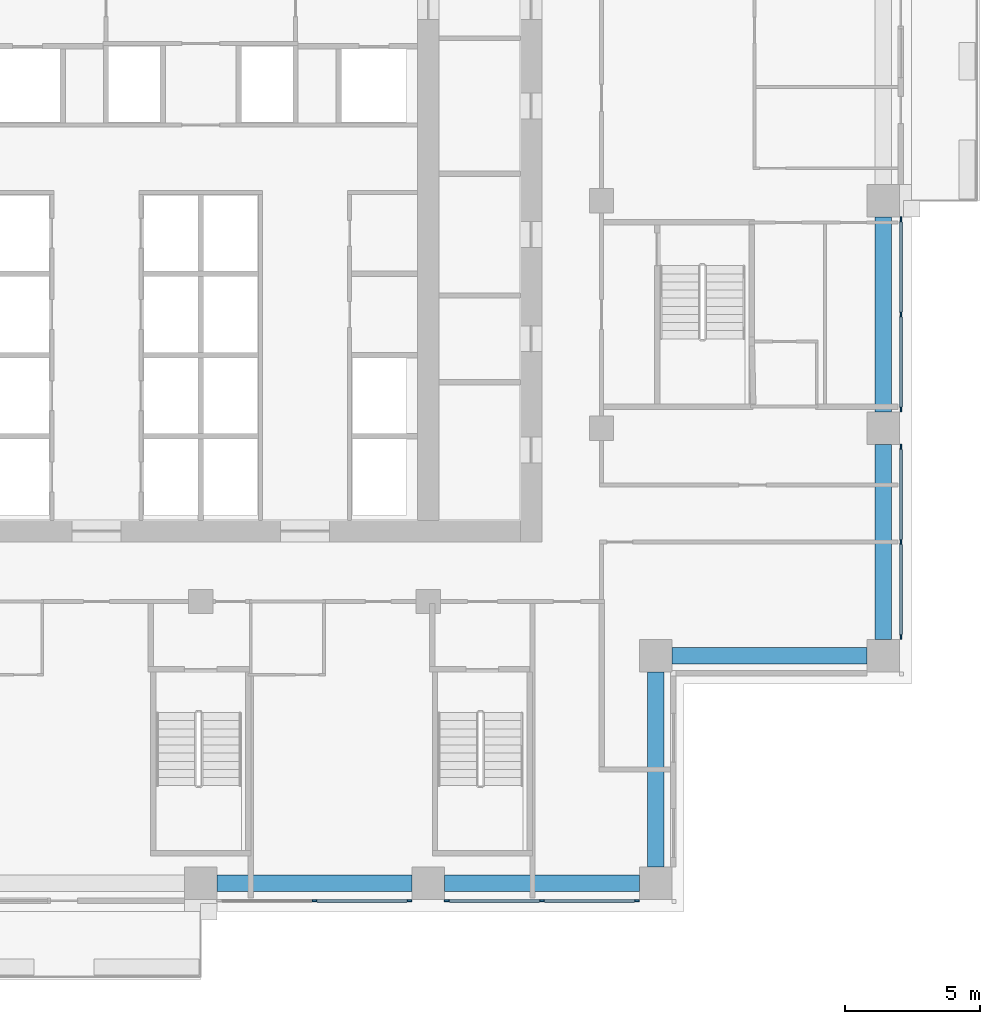
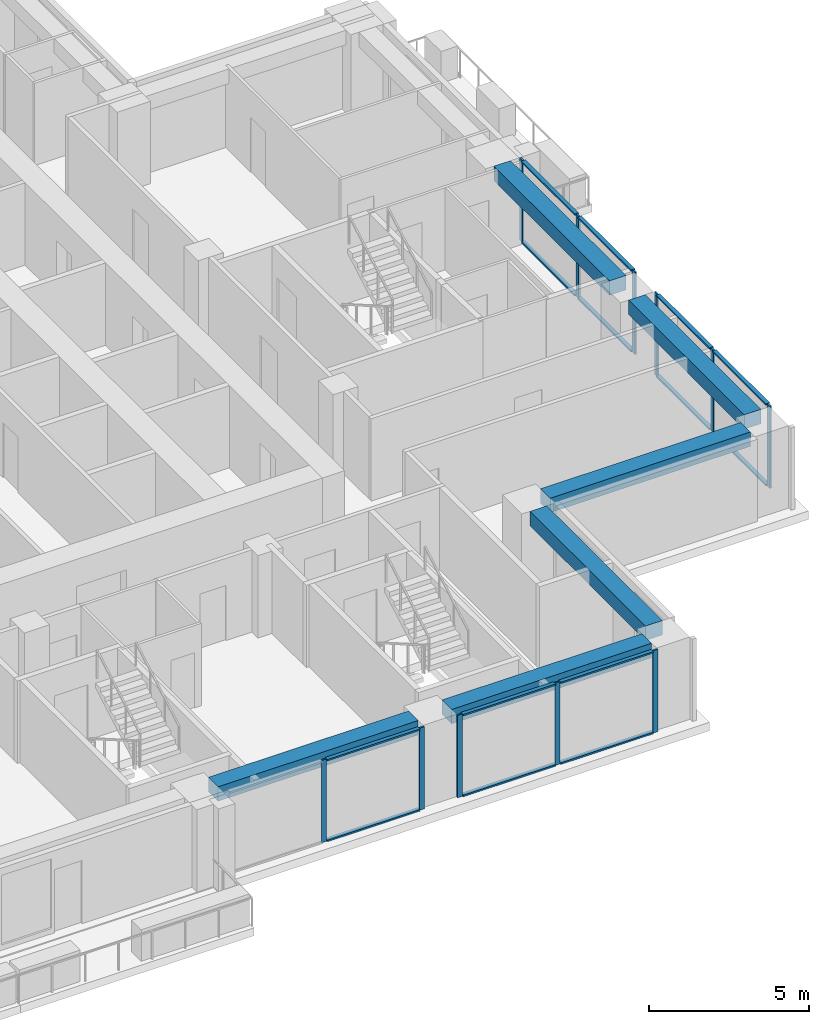
# One storey, part 4 of 16: 25 members, 6 beams, 4 elements without a shape of their own.
"""IFC4 building model written with IfcOpenShell, lengths in metres."""

from ifc_helpers import new_model, si_unit, direction, frame, origin, origin_2d, place, context, subcontext, project, spatial, rectangle, extrude, material, material_profile, profile_set, type_object, element, aggregate, save


model = new_model("IFC4")

# Units and contexts
model_context = context("Model", 3, precision=1e-05, world=origin(), true_north=direction((0.0, 1.0)))
body_context = subcontext(model_context, "Body", "Model", "MODEL_VIEW")
ifc_project = project(units=[si_unit("LENGTHUNIT", "METRE"), si_unit("AREAUNIT", "SQUARE_METRE"), si_unit("VOLUMEUNIT", "CUBIC_METRE"), si_unit("PLANEANGLEUNIT", "RADIAN"), si_unit("MASSUNIT", "GRAM", prefix="KILO")], contexts=[model_context])

# Site, building, storey
site_placement = place(None, origin())
site = spatial("IfcSite", under=ifc_project, at=site_placement, CompositionType="ELEMENT")
building_placement = place(site_placement, origin())
building = spatial("IfcBuilding", under=site, at=building_placement, Name="Vermilion Ogive Tower", CompositionType="ELEMENT")
storey_placement = place(building_placement, frame((0.0, 0.0, 114.89990234375)))
storey = spatial("IfcBuildingStorey", under=building, at=storey_placement, Name="L29", CompositionType="ELEMENT", Elevation=114.89990234375)

# Curtain wall, members
ifc_material_1 = material(Name="Low-iron laminated glazing in aluminium frame", Category="aluminium")
curtain_wall_type = type_object("IfcCurtainWallType", Name="Curtain wall CW7", PredefinedType="NOTDEFINED", material=ifc_material_1)
curtain_wall_1_placement = place(storey_placement, origin())
curtain_wall_1 = element("IfcCurtainWall", 1, at=curtain_wall_1_placement, inside=storey, type_object=curtain_wall_type, Name="Glazed skin S3", PredefinedType="NOTDEFINED")
ifc_material_2 = material(Name="Aluminium mullion", Category="aluminium")
ifc_material_profile_1 = material_profile(ifc_material_2, rectangle(XDim=0.06005859375, YDim=0.179931640625, at=origin_2d()), Name="AL 60x180")
ifc_profile_set_1 = profile_set([ifc_material_profile_1], Name="Aluminium mullion")
member_type_1 = type_object("IfcMemberType", Name="CW7 mullion 60x180", PredefinedType="MULLION", material=ifc_profile_set_1)
member_1_placement = place(storey_placement, frame((4.199951171875, -21.64990234375, 0.0), z_axis=(0.0, 0.0, 1.0), x_axis=(0.0, 1.0, 0.0)))
member_1 = element("IfcMember", 2, at=member_1_placement, type_object=member_type_1, Name="CW7-S3 mullion 2", PredefinedType="MULLION", context=body_context, shape_type="SweptSolid", body=[
    extrude(rectangle(XDim=0.06005859375, YDim=0.179931640625, at=origin_2d()), origin(), (0.0, 0.0, 1.0), 3.130126953125),
])
member_2_placement = place(storey_placement, frame((7.7099609375, -21.64990234375, 0.0), z_axis=(0.0, 0.0, 1.0), x_axis=(0.0, 1.0, 0.0)))
member_2 = element("IfcMember", 3, at=member_2_placement, type_object=member_type_1, Name="CW7-S3 mullion 3", PredefinedType="MULLION", context=body_context, shape_type="SweptSolid", body=[
    extrude(rectangle(XDim=0.06005859375, YDim=0.179931640625, at=origin_2d()), origin(), (0.0, 0.0, 1.0), 3.130126953125),
])

curtain_wall_2_placement = place(storey_placement, origin())
curtain_wall_2 = element("IfcCurtainWall", 4, at=curtain_wall_2_placement, inside=storey, type_object=curtain_wall_type, Name="Glazed skin S4", PredefinedType="NOTDEFINED")
member_3_placement = place(storey_placement, frame((9.090087890625, -21.64990234375, 0.0), z_axis=(0.0, 0.0, 1.0), x_axis=(0.0, 1.0, 0.0)))
member_3 = element("IfcMember", 5, at=member_3_placement, type_object=member_type_1, Name="CW7-S4 mullion 1", PredefinedType="MULLION", context=body_context, shape_type="SweptSolid", body=[
    extrude(rectangle(XDim=0.06005859375, YDim=0.179931640625, at=origin_2d()), origin(), (0.0, 0.0, 1.0), 3.130126953125),
])
member_4_placement = place(storey_placement, frame((12.60009765625, -21.64990234375, 0.0), z_axis=(0.0, 0.0, 1.0), x_axis=(0.0, 1.0, 0.0)))
member_4 = element("IfcMember", 6, at=member_4_placement, type_object=member_type_1, Name="CW7-S4 mullion 2", PredefinedType="MULLION", context=body_context, shape_type="SweptSolid", body=[
    extrude(rectangle(XDim=0.06005859375, YDim=0.179931640625, at=origin_2d()), origin(), (0.0, 0.0, 1.0), 3.130126953125),
])
member_5_placement = place(storey_placement, frame((16.110107421875, -21.64990234375, 0.0), z_axis=(0.0, 0.0, 1.0), x_axis=(0.0, 1.0, 0.0)))
member_5 = element("IfcMember", 7, at=member_5_placement, type_object=member_type_1, Name="CW7-S4 mullion 3", PredefinedType="MULLION", context=body_context, shape_type="SweptSolid", body=[
    extrude(rectangle(XDim=0.06005859375, YDim=0.179931640625, at=origin_2d()), origin(), (0.0, 0.0, 1.0), 3.130126953125),
])

curtain_wall_3_placement = place(storey_placement, origin())
curtain_wall_3 = element("IfcCurtainWall", 8, at=curtain_wall_3_placement, inside=storey, type_object=curtain_wall_type, Name="Glazed skin E1", PredefinedType="NOTDEFINED")
member_6_placement = place(storey_placement, frame((25.85009765625, -11.909912109375, 0.0), z_axis=(0.0, 0.0, 1.0), x_axis=(-1.0, 0.0, 0.0)))
member_6 = element("IfcMember", 9, at=member_6_placement, type_object=member_type_1, Name="CW7-E1 mullion 1", PredefinedType="MULLION", context=body_context, shape_type="SweptSolid", body=[
    extrude(rectangle(XDim=0.06005859375, YDim=0.179931640625, at=origin_2d()), origin(), (0.0, 0.0, 1.0), 3.130126953125),
])
member_7_placement = place(storey_placement, frame((25.85009765625, -8.39990234375, 0.0), z_axis=(0.0, 0.0, 1.0), x_axis=(-1.0, 0.0, 0.0)))
member_7 = element("IfcMember", 10, at=member_7_placement, type_object=member_type_1, Name="CW7-E1 mullion 2", PredefinedType="MULLION", context=body_context, shape_type="SweptSolid", body=[
    extrude(rectangle(XDim=0.06005859375, YDim=0.179931640625, at=origin_2d()), origin(), (0.0, 0.0, 1.0), 3.130126953125),
])
member_8_placement = place(storey_placement, frame((25.85009765625, -4.889892578125, 0.0), z_axis=(0.0, 0.0, 1.0), x_axis=(-1.0, 0.0, 0.0)))
member_8 = element("IfcMember", 11, at=member_8_placement, type_object=member_type_1, Name="CW7-E1 mullion 3", PredefinedType="MULLION", context=body_context, shape_type="SweptSolid", body=[
    extrude(rectangle(XDim=0.06005859375, YDim=0.179931640625, at=origin_2d()), origin(), (0.0, 0.0, 1.0), 3.130126953125),
])

curtain_wall_4_placement = place(storey_placement, origin())
curtain_wall_4 = element("IfcCurtainWall", 12, at=curtain_wall_4_placement, inside=storey, type_object=curtain_wall_type, Name="Glazed skin E2", PredefinedType="NOTDEFINED")
member_9_placement = place(storey_placement, frame((25.85009765625, -3.510009765625, 0.0), z_axis=(0.0, 0.0, 1.0), x_axis=(-1.0, 0.0, 0.0)))
member_9 = element("IfcMember", 13, at=member_9_placement, type_object=member_type_1, Name="CW7-E2 mullion 1", PredefinedType="MULLION", context=body_context, shape_type="SweptSolid", body=[
    extrude(rectangle(XDim=0.06005859375, YDim=0.179931640625, at=origin_2d()), origin(), (0.0, 0.0, 1.0), 3.130126953125),
])
member_10_placement = place(storey_placement, frame((25.85009765625, 0.0, 0.0), z_axis=(0.0, 0.0, 1.0), x_axis=(-1.0, 0.0, 0.0)))
member_10 = element("IfcMember", 14, at=member_10_placement, type_object=member_type_1, Name="CW7-E2 mullion 2", PredefinedType="MULLION", context=body_context, shape_type="SweptSolid", body=[
    extrude(rectangle(XDim=0.06005859375, YDim=0.179931640625, at=origin_2d()), origin(), (0.0, 0.0, 1.0), 3.130126953125),
])
member_11_placement = place(storey_placement, frame((25.85009765625, 3.510009765625, 0.0), z_axis=(0.0, 0.0, 1.0), x_axis=(-1.0, 0.0, 0.0)))
member_11 = element("IfcMember", 15, at=member_11_placement, type_object=member_type_1, Name="CW7-E2 mullion 3", PredefinedType="MULLION", context=body_context, shape_type="SweptSolid", body=[
    extrude(rectangle(XDim=0.06005859375, YDim=0.179931640625, at=origin_2d()), origin(), (0.0, 0.0, 1.0), 3.130126953125),
])

# Member
ifc_material_3 = material(Name="Aluminium transom", Category="aluminium")
ifc_material_profile_2 = material_profile(ifc_material_3, rectangle(XDim=0.139892578125, YDim=0.06005859375, at=origin_2d()), Name="AL 60x140")
ifc_profile_set_2 = profile_set([ifc_material_profile_2], Name="Aluminium transom")
member_type_2 = type_object("IfcMemberType", Name="CW7 transom 60x140", PredefinedType="USERDEFINED", material=ifc_profile_set_2)
member_12_placement = place(storey_placement, frame((4.2900390625, -21.64990234375, 0.030029296875), z_axis=(1.0, 0.0, 0.0), x_axis=(0.0, 1.0, 0.0)))
member_12 = element("IfcMember", 16, at=member_12_placement, type_object=member_type_2, Name="CW7-S3 transom 2.1", ObjectType="TRANSOM", PredefinedType="USERDEFINED", context=body_context, shape_type="SweptSolid", body=[
    extrude(rectangle(XDim=0.139892578125, YDim=0.06005859375, at=origin_2d()), origin(), (0.0, 0.0, 1.0), 3.330078125),
])

member_13_placement = place(storey_placement, frame((4.2900390625, -21.64990234375, 3.10009765625), z_axis=(1.0, 0.0, 0.0), x_axis=(0.0, 1.0, 0.0)))
member_13 = element("IfcMember", 17, at=member_13_placement, type_object=member_type_2, Name="CW7-S3 transom 2.2", ObjectType="TRANSOM", PredefinedType="USERDEFINED", context=body_context, shape_type="SweptSolid", body=[
    extrude(rectangle(XDim=0.139892578125, YDim=0.06005859375, at=origin_2d()), origin(), (0.0, 0.0, 1.0), 3.330078125),
])

aggregate(curtain_wall_1, [member_1, member_2, member_12, member_13])

member_14_placement = place(storey_placement, frame((9.179931640625, -21.64990234375, 0.030029296875), z_axis=(1.0, 0.0, 0.0), x_axis=(0.0, 1.0, 0.0)))
member_14 = element("IfcMember", 18, at=member_14_placement, type_object=member_type_2, Name="CW7-S4 transom 1.1", ObjectType="TRANSOM", PredefinedType="USERDEFINED", context=body_context, shape_type="SweptSolid", body=[
    extrude(rectangle(XDim=0.139892578125, YDim=0.06005859375, at=origin_2d()), origin(), (0.0, 0.0, 1.0), 3.330078125),
])

member_15_placement = place(storey_placement, frame((9.179931640625, -21.64990234375, 3.10009765625), z_axis=(1.0, 0.0, 0.0), x_axis=(0.0, 1.0, 0.0)))
member_15 = element("IfcMember", 19, at=member_15_placement, type_object=member_type_2, Name="CW7-S4 transom 1.2", ObjectType="TRANSOM", PredefinedType="USERDEFINED", context=body_context, shape_type="SweptSolid", body=[
    extrude(rectangle(XDim=0.139892578125, YDim=0.06005859375, at=origin_2d()), origin(), (0.0, 0.0, 1.0), 3.330078125),
])

member_16_placement = place(storey_placement, frame((12.68994140625, -21.64990234375, 0.030029296875), z_axis=(1.0, 0.0, 0.0), x_axis=(0.0, 1.0, 0.0)))
member_16 = element("IfcMember", 20, at=member_16_placement, type_object=member_type_2, Name="CW7-S4 transom 2.1", ObjectType="TRANSOM", PredefinedType="USERDEFINED", context=body_context, shape_type="SweptSolid", body=[
    extrude(rectangle(XDim=0.139892578125, YDim=0.06005859375, at=origin_2d()), origin(), (0.0, 0.0, 1.0), 3.330078125),
])

member_17_placement = place(storey_placement, frame((12.68994140625, -21.64990234375, 3.10009765625), z_axis=(1.0, 0.0, 0.0), x_axis=(0.0, 1.0, 0.0)))
member_17 = element("IfcMember", 21, at=member_17_placement, type_object=member_type_2, Name="CW7-S4 transom 2.2", ObjectType="TRANSOM", PredefinedType="USERDEFINED", context=body_context, shape_type="SweptSolid", body=[
    extrude(rectangle(XDim=0.139892578125, YDim=0.06005859375, at=origin_2d()), origin(), (0.0, 0.0, 1.0), 3.330078125),
])

aggregate(curtain_wall_2, [member_3, member_4, member_5, member_14, member_15, member_16, member_17])

member_18_placement = place(storey_placement, frame((25.85009765625, -11.820068359375, 0.030029296875), z_axis=(0.0, 1.0, 0.0), x_axis=(-1.0, 0.0, 0.0)))
member_18 = element("IfcMember", 22, at=member_18_placement, type_object=member_type_2, Name="CW7-E1 transom 1.1", ObjectType="TRANSOM", PredefinedType="USERDEFINED", context=body_context, shape_type="SweptSolid", body=[
    extrude(rectangle(XDim=0.139892578125, YDim=0.06005859375, at=origin_2d()), origin(), (0.0, 0.0, 1.0), 3.330078125),
])

member_19_placement = place(storey_placement, frame((25.85009765625, -11.820068359375, 3.10009765625), z_axis=(0.0, 1.0, 0.0), x_axis=(-1.0, 0.0, 0.0)))
member_19 = element("IfcMember", 23, at=member_19_placement, type_object=member_type_2, Name="CW7-E1 transom 1.2", ObjectType="TRANSOM", PredefinedType="USERDEFINED", context=body_context, shape_type="SweptSolid", body=[
    extrude(rectangle(XDim=0.139892578125, YDim=0.06005859375, at=origin_2d()), origin(), (0.0, 0.0, 1.0), 3.330078125),
])

member_20_placement = place(storey_placement, frame((25.85009765625, -8.31005859375, 0.030029296875), z_axis=(0.0, 1.0, 0.0), x_axis=(-1.0, 0.0, 0.0)))
member_20 = element("IfcMember", 24, at=member_20_placement, type_object=member_type_2, Name="CW7-E1 transom 2.1", ObjectType="TRANSOM", PredefinedType="USERDEFINED", context=body_context, shape_type="SweptSolid", body=[
    extrude(rectangle(XDim=0.139892578125, YDim=0.06005859375, at=origin_2d()), origin(), (0.0, 0.0, 1.0), 3.330078125),
])

member_21_placement = place(storey_placement, frame((25.85009765625, -8.31005859375, 3.10009765625), z_axis=(0.0, 1.0, 0.0), x_axis=(-1.0, 0.0, 0.0)))
member_21 = element("IfcMember", 25, at=member_21_placement, type_object=member_type_2, Name="CW7-E1 transom 2.2", ObjectType="TRANSOM", PredefinedType="USERDEFINED", context=body_context, shape_type="SweptSolid", body=[
    extrude(rectangle(XDim=0.139892578125, YDim=0.06005859375, at=origin_2d()), origin(), (0.0, 0.0, 1.0), 3.330078125),
])

aggregate(curtain_wall_3, [member_6, member_7, member_8, member_18, member_19, member_20, member_21])

member_22_placement = place(storey_placement, frame((25.85009765625, -3.419921875, 0.030029296875), z_axis=(0.0, 1.0, 0.0), x_axis=(-1.0, 0.0, 0.0)))
member_22 = element("IfcMember", 26, at=member_22_placement, type_object=member_type_2, Name="CW7-E2 transom 1.1", ObjectType="TRANSOM", PredefinedType="USERDEFINED", context=body_context, shape_type="SweptSolid", body=[
    extrude(rectangle(XDim=0.139892578125, YDim=0.06005859375, at=origin_2d()), origin(), (0.0, 0.0, 1.0), 3.329833984375),
])

member_23_placement = place(storey_placement, frame((25.85009765625, -3.419921875, 3.10009765625), z_axis=(0.0, 1.0, 0.0), x_axis=(-1.0, 0.0, 0.0)))
member_23 = element("IfcMember", 27, at=member_23_placement, type_object=member_type_2, Name="CW7-E2 transom 1.2", ObjectType="TRANSOM", PredefinedType="USERDEFINED", context=body_context, shape_type="SweptSolid", body=[
    extrude(rectangle(XDim=0.139892578125, YDim=0.06005859375, at=origin_2d()), origin(), (0.0, 0.0, 1.0), 3.329833984375),
])

member_24_placement = place(storey_placement, frame((25.85009765625, 0.090087890625, 0.030029296875), z_axis=(0.0, 1.0, 0.0), x_axis=(-1.0, 0.0, 0.0)))
member_24 = element("IfcMember", 28, at=member_24_placement, type_object=member_type_2, Name="CW7-E2 transom 2.1", ObjectType="TRANSOM", PredefinedType="USERDEFINED", context=body_context, shape_type="SweptSolid", body=[
    extrude(rectangle(XDim=0.139892578125, YDim=0.06005859375, at=origin_2d()), origin(), (0.0, 0.0, 1.0), 3.329833984375),
])

member_25_placement = place(storey_placement, frame((25.85009765625, 0.090087890625, 3.10009765625), z_axis=(0.0, 1.0, 0.0), x_axis=(-1.0, 0.0, 0.0)))
member_25 = element("IfcMember", 29, at=member_25_placement, type_object=member_type_2, Name="CW7-E2 transom 2.2", ObjectType="TRANSOM", PredefinedType="USERDEFINED", context=body_context, shape_type="SweptSolid", body=[
    extrude(rectangle(XDim=0.139892578125, YDim=0.06005859375, at=origin_2d()), origin(), (0.0, 0.0, 1.0), 3.329833984375),
])

aggregate(curtain_wall_4, [member_9, member_10, member_11, member_22, member_23, member_24, member_25])

# Beams
ifc_material_4 = material(Name="Concrete B45", Category="concrete")
ifc_material_profile_3 = material_profile(ifc_material_4, rectangle(XDim=0.60009765625, YDim=0.550048828125, at=origin_2d()), Name="600 x 550")
ifc_profile_set_3 = profile_set([ifc_material_profile_3], Name="Concrete B45")
beam_type = type_object("IfcBeamType", Name="Edge beam 600 x 550 B45", PredefinedType="BEAM", material=ifc_profile_set_3)
for number, where, z_axis, x_axis, name in (
    (30, (0.60009765625, -21.0, 2.85498046875), (1.0, 0.0, 0.0), (0.0, 1.0, 0.0), "L29-EB-3"),
    (31, (9.0, -21.0, 2.85498046875), (1.0, 0.0, 0.0), (0.0, 1.0, 0.0), "L29-EB-4"),
    (32, (16.800048828125, -20.39990234375, 2.85498046875), (0.0, 1.0, 0.0), (-1.0, 0.0, 0.0), "L29-EB-5"),
):
    element("IfcBeam", number, at=place(storey_placement, frame(where, z_axis=z_axis, x_axis=x_axis)), inside=storey, type_object=beam_type, Name=name, PredefinedType="BEAM", context=body_context, shape_type="SweptSolid", body=[
        extrude(rectangle(XDim=0.60009765625, YDim=0.550048828125, at=origin_2d()), origin(), (0.0, 0.0, 1.0), 7.199951171875),
    ])
beam_1_placement = place(storey_placement, frame((17.39990234375, -12.60009765625, 2.85498046875), z_axis=(1.0, 0.0, 0.0), x_axis=(0.0, 1.0, 0.0)))
element("IfcBeam", 33, at=beam_1_placement, inside=storey, type_object=beam_type, Name="L29-EB-6", PredefinedType="BEAM", context=body_context, shape_type="SweptSolid", body=[
    extrude(rectangle(XDim=0.60009765625, YDim=0.550048828125, at=origin_2d()), origin(), (0.0, 0.0, 1.0), 7.2001953125),
])
beam_2_placement = place(storey_placement, frame((25.199951171875, -12.0, 2.85498046875), z_axis=(0.0, 1.0, 0.0), x_axis=(-1.0, 0.0, 0.0)))
element("IfcBeam", 34, at=beam_2_placement, inside=storey, type_object=beam_type, Name="L29-EB-7", PredefinedType="BEAM", context=body_context, shape_type="SweptSolid", body=[
    extrude(rectangle(XDim=0.60009765625, YDim=0.550048828125, at=origin_2d()), origin(), (0.0, 0.0, 1.0), 7.199951171875),
])
beam_3_placement = place(storey_placement, frame((25.199951171875, -3.60009765625, 2.85498046875), z_axis=(0.0, 1.0, 0.0), x_axis=(-1.0, 0.0, 0.0)))
element("IfcBeam", 35, at=beam_3_placement, inside=storey, type_object=beam_type, Name="L29-EB-8", PredefinedType="BEAM", context=body_context, shape_type="SweptSolid", body=[
    extrude(rectangle(XDim=0.60009765625, YDim=0.550048828125, at=origin_2d()), origin(), (0.0, 0.0, 1.0), 7.2001953125),
])

save(model, "model.ifc")
